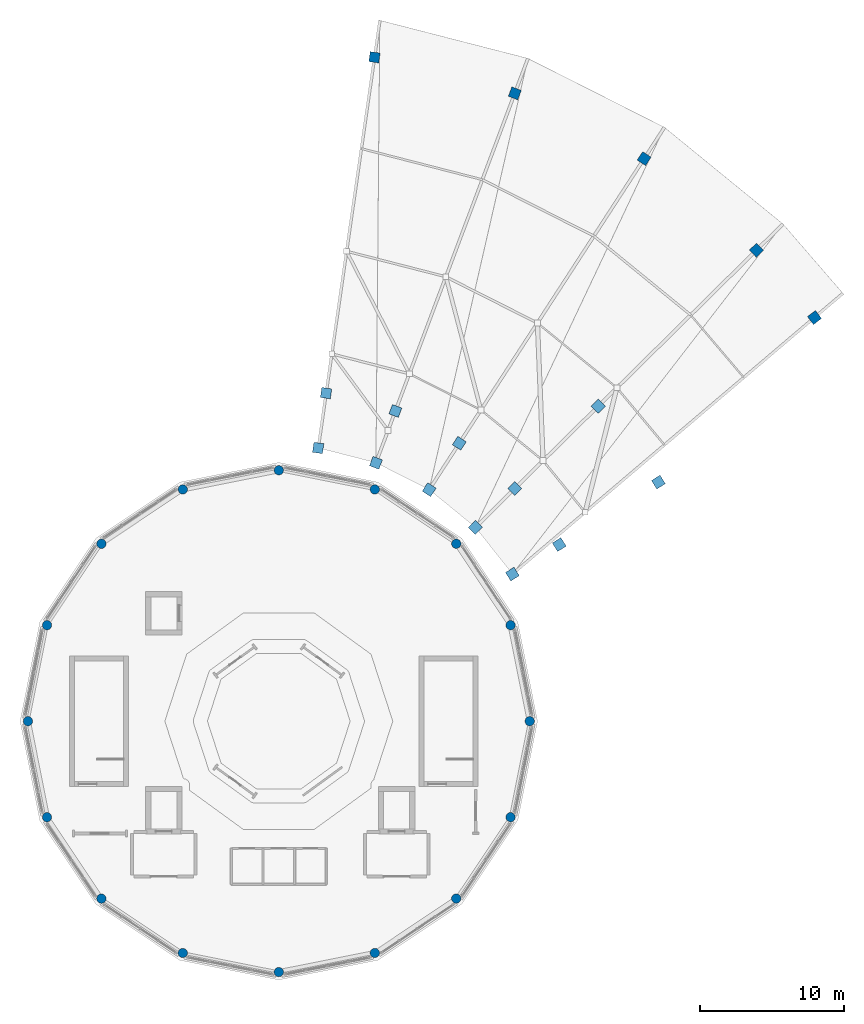
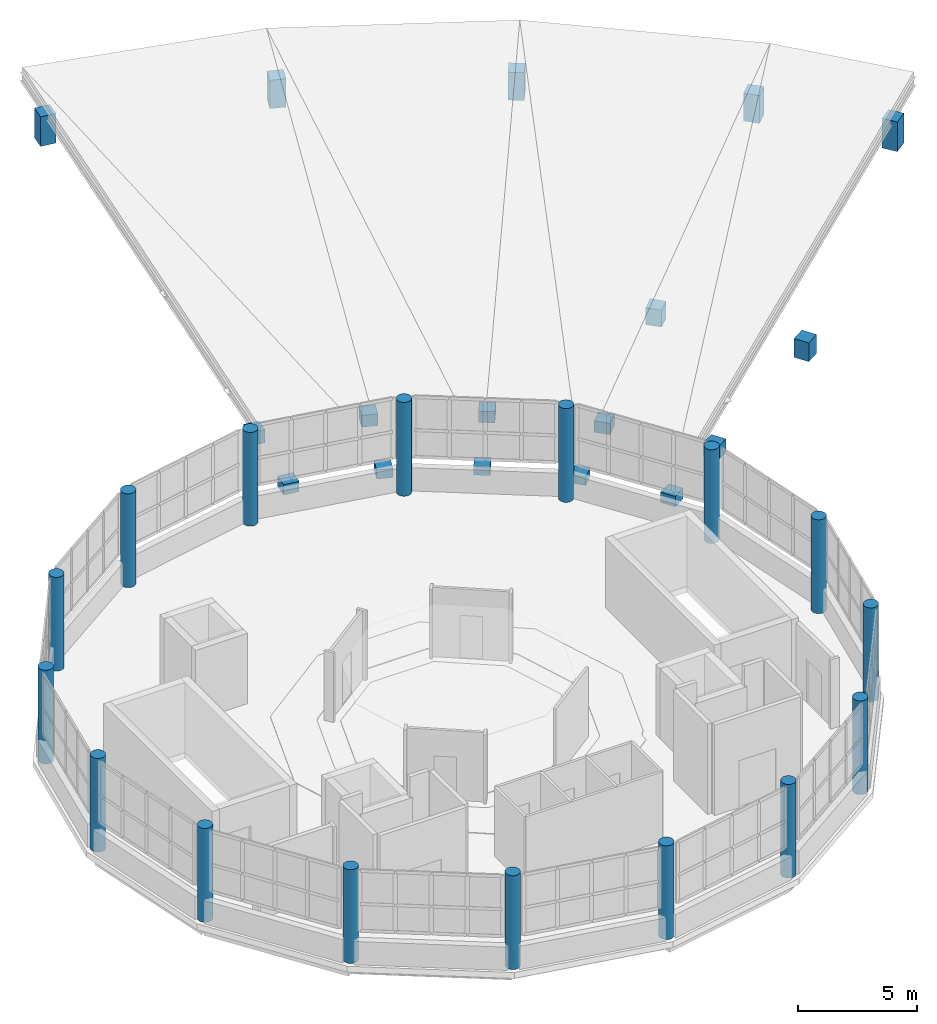
# One storey, part 1 of 12: 33 columns.
"""IFC4 building model written with IfcOpenShell, lengths in metres."""

from ifc_helpers import new_model, si_unit, direction, frame, origin, origin_2d, place, context, subcontext, project, spatial, rectangle, circle, extrude, material, material_profile, profile_set, type_object, element, save


model = new_model("IFC4")

# Units and contexts
model_context = context("Model", 3, precision=1e-05, world=origin(), true_north=direction((0.0, 1.0)))
body_context = subcontext(model_context, "Body", "Model", "MODEL_VIEW")
ifc_project = project(units=[si_unit("LENGTHUNIT", "METRE"), si_unit("AREAUNIT", "SQUARE_METRE"), si_unit("VOLUMEUNIT", "CUBIC_METRE"), si_unit("PLANEANGLEUNIT", "RADIAN"), si_unit("MASSUNIT", "GRAM", prefix="KILO")], contexts=[model_context])

# Site, building, storey
site_placement = place(None, origin())
site = spatial("IfcSite", under=ifc_project, at=site_placement, CompositionType="ELEMENT")
building_placement = place(site_placement, origin())
building = spatial("IfcBuilding", under=site, at=building_placement, Name="Soyqirgoq Riverine Aquarium", CompositionType="ELEMENT")
storey_placement = place(building_placement, frame((0.0, 0.0, 24.60009765625)))
storey = spatial("IfcBuildingStorey", under=building, at=storey_placement, Name="L06", CompositionType="ELEMENT", Elevation=24.60009765625)

# Columns
ifc_material_1 = material(Name="Concrete C40/50", Category="concrete")
ifc_material_profile_1 = material_profile(ifc_material_1, circle(Radius=0.324951171875, at=origin_2d()), Name="RC-COL D650")
ifc_profile_set_1 = profile_set([ifc_material_profile_1], Name="Concrete C40/50")
column_type_1 = type_object("IfcColumnType", Name="Col_Circ_D650", PredefinedType="COLUMN", material=ifc_profile_set_1)
for number, where, z_axis, x_axis, name in (
    (1, (73.449951171875, 57.0, 0.0), (0.0, 0.0, 1.0), (1.0, 0.0, 0.0), "V1 Column V1-CO01 L06"),
    (2, (72.12158203125, 63.677734375, 0.0), (0.0, 0.0, 1.0), (0.923879532511, 0.382683432365, 0.0), "V1 Column V1-CO02 L06"),
    (3, (68.339111328125, 69.339111328125, 0.0), (0.0, 0.0, 1.0), (0.707106781187, 0.707106781187, 0.0), "V1 Column V1-CO03 L06"),
    (4, (62.677734375, 73.12158203125, 0.0), (0.0, 0.0, 1.0), (0.382683432365, 0.923879532511, 0.0), "V1 Column V1-CO04 L06"),
    (5, (56.0, 74.449951171875, 0.0), (0.0, 0.0, 1.0), (0.0, 1.0, 0.0), "V1 Column V1-CO05 L06"),
    (6, (49.322265625, 73.12158203125, 0.0), (0.0, 0.0, 1.0), (-0.382683432365, 0.923879532511, 0.0), "V1 Column V1-CO06 L06"),
    (7, (43.660888671875, 69.339111328125, 0.0), (0.0, 0.0, 1.0), (-0.707106781187, 0.707106781187, 0.0), "V1 Column V1-CO07 L06"),
    (8, (39.87841796875, 63.677734375, 0.0), (0.0, 0.0, 1.0), (-0.923879532511, 0.382683432365, 0.0), "V1 Column V1-CO08 L06"),
    (9, (38.550048828125, 57.0, 0.0), (0.0, 0.0, 1.0), (-1.0, 0.0, 0.0), "V1 Column V1-CO09 L06"),
    (10, (39.87841796875, 50.322265625, 0.0), (0.0, 0.0, 1.0), (-0.923879532511, -0.382683432365, 0.0), "V1 Column V1-CO10 L06"),
    (11, (43.660888671875, 44.660888671875, 0.0), (0.0, 0.0, 1.0), (-0.707106781187, -0.707106781187, 0.0), "V1 Column V1-CO11 L06"),
    (12, (49.322265625, 40.87841796875, 0.0), (0.0, 0.0, 1.0), (-0.382683432365, -0.923879532511, 0.0), "V1 Column V1-CO12 L06"),
    (13, (56.0, 39.550048828125, 0.0), (0.0, 0.0, 1.0), (0.0, -1.0, 0.0), "V1 Column V1-CO13 L06"),
    (14, (62.677734375, 40.87841796875, 0.0), (0.0, 0.0, 1.0), (0.382683432365, -0.923879532511, 0.0), "V1 Column V1-CO14 L06"),
    (15, (68.339111328125, 44.660888671875, 0.0), (0.0, 0.0, 1.0), (0.707106781187, -0.707106781187, 0.0), "V1 Column V1-CO15 L06"),
    (16, (72.12158203125, 50.322265625, 0.0), (0.0, 0.0, 1.0), (0.923879532511, -0.382683432365, 0.0), "V1 Column V1-CO16 L06"),
):
    element("IfcColumn", number, at=place(storey_placement, frame(where, z_axis=z_axis, x_axis=x_axis)), inside=storey, type_object=column_type_1, Name=name, PredefinedType="COLUMN", context=body_context, shape_type="SweptSolid", body=[
        extrude(circle(Radius=0.324951171875, at=origin_2d()), origin(), (0.0, 0.0, 1.0), 4.7998046875),
    ])
ifc_material_2 = material(Name="Concrete C40/50", Category="concrete")
ifc_material_profile_2 = material_profile(ifc_material_2, rectangle(XDim=0.699951171875, YDim=0.699951171875, at=origin_2d()), Name="RC 700x700")
ifc_profile_set_2 = profile_set([ifc_material_profile_2], Name="Concrete C40/50")
column_type_2 = type_object("IfcColumnType", Name="Col_RC_700x700", PredefinedType="COLUMN", material=ifc_profile_set_2)
column_1_placement = place(storey_placement, frame((72.246826171875, 67.231201171875, -0.22021484375), z_axis=(0.0, 0.0, 1.0), x_axis=(0.846193166128, 0.532876276071, 0.0)))
element("IfcColumn", 17, at=column_1_placement, inside=storey, type_object=column_type_2, Name="V5 Prairie Roof Inner Column Post 01", PredefinedType="COLUMN", context=body_context, shape_type="SweptSolid", body=[
    extrude(rectangle(XDim=0.699951171875, YDim=0.699951171875, at=origin_2d()), origin(), (0.0, 0.0, 1.0), 0.531005859375),
])
column_2_placement = place(storey_placement, frame((93.25634765625, 85.07470703125, -0.22021484375), z_axis=(0.0, 0.0, 1.0), x_axis=(0.798635510047, 0.601815023152, 0.0)))
element("IfcColumn", 18, at=column_2_placement, inside=storey, type_object=column_type_2, Name="V5 Prairie Roof Outer Column Post 01", PredefinedType="COLUMN", context=body_context, shape_type="SweptSolid", body=[
    extrude(rectangle(XDim=0.699951171875, YDim=0.699951171875, at=origin_2d()), origin(), (0.0, 0.0, 1.0), 1.519287109375),
])
column_3_placement = place(storey_placement, frame((75.5048828125, 69.28271484375, -0.22021484375), z_axis=(0.0, 0.0, 1.0), x_axis=(0.846193166128, 0.532876276071, 0.0)))
element("IfcColumn", 19, at=column_3_placement, inside=storey, type_object=column_type_2, Name="V5 Prairie Roof Mid Column Post R2-01", PredefinedType="COLUMN", context=body_context, shape_type="SweptSolid", body=[
    extrude(rectangle(XDim=0.699951171875, YDim=0.699951171875, at=origin_2d()), origin(), (0.0, 0.0, 1.0), 0.6689453125),
])
column_4_placement = place(storey_placement, frame((82.401123046875, 73.625732421875, -0.22021484375), z_axis=(0.0, 0.0, 1.0), x_axis=(0.846193166128, 0.532876276071, 0.0)))
element("IfcColumn", 20, at=column_4_placement, inside=storey, type_object=column_type_2, Name="V5 Prairie Roof Mid Column Post R3-01", PredefinedType="COLUMN", context=body_context, shape_type="SweptSolid", body=[
    extrude(rectangle(XDim=0.699951171875, YDim=0.699951171875, at=origin_2d()), origin(), (0.0, 0.0, 1.0), 0.961181640625),
])
column_5_placement = place(storey_placement, frame((69.6708984375, 70.481201171875, -0.22021484375), z_axis=(0.0, 0.0, 1.0), x_axis=(0.712026045991, 0.702153052995, 0.0)))
element("IfcColumn", 21, at=column_5_placement, inside=storey, type_object=column_type_2, Name="V5 Prairie Roof Inner Column Post 02", PredefinedType="COLUMN", context=body_context, shape_type="SweptSolid", body=[
    extrude(rectangle(XDim=0.699951171875, YDim=0.699951171875, at=origin_2d()), origin(), (0.0, 0.0, 1.0), 0.435546875),
])
column_6_placement = place(storey_placement, frame((89.216064453125, 89.75537109375, -0.22021484375), z_axis=(0.0, 0.0, 1.0), x_axis=(0.712026045991, 0.702153052995, 0.0)))
element("IfcColumn", 22, at=column_6_placement, inside=storey, type_object=column_type_2, Name="V5 Prairie Roof Outer Column Post 02", PredefinedType="COLUMN", context=body_context, shape_type="SweptSolid", body=[
    extrude(rectangle(XDim=0.699951171875, YDim=0.699951171875, at=origin_2d()), origin(), (0.0, 0.0, 1.0), 1.423583984375),
])
column_7_placement = place(storey_placement, frame((72.412109375, 73.1845703125, -0.22021484375), z_axis=(0.0, 0.0, 1.0), x_axis=(0.712026045991, 0.702153052995, 0.0)))
element("IfcColumn", 23, at=column_7_placement, inside=storey, type_object=column_type_2, Name="V5 Prairie Roof Mid Column Post R2-02", PredefinedType="COLUMN", context=body_context, shape_type="SweptSolid", body=[
    extrude(rectangle(XDim=0.699951171875, YDim=0.699951171875, at=origin_2d()), origin(), (0.0, 0.0, 1.0), 0.57421875),
])
column_8_placement = place(storey_placement, frame((78.215087890625, 78.9072265625, -0.22021484375), z_axis=(0.0, 0.0, 1.0), x_axis=(0.712026045991, 0.702153052995, 0.0)))
element("IfcColumn", 24, at=column_8_placement, inside=storey, type_object=column_type_2, Name="V5 Prairie Roof Mid Column Post R3-02", PredefinedType="COLUMN", context=body_context, shape_type="SweptSolid", body=[
    extrude(rectangle(XDim=0.699951171875, YDim=0.699951171875, at=origin_2d()), origin(), (0.0, 0.0, 1.0), 0.867431640625),
])
column_9_placement = place(storey_placement, frame((66.45703125, 73.1025390625, -0.22021484375), z_axis=(0.0, 0.0, 1.0), x_axis=(0.544639035015, 0.838670567945, 0.0)))
element("IfcColumn", 25, at=column_9_placement, inside=storey, type_object=column_type_2, Name="V5 Prairie Roof Inner Column Post 03", PredefinedType="COLUMN", context=body_context, shape_type="SweptSolid", body=[
    extrude(rectangle(XDim=0.699951171875, YDim=0.699951171875, at=origin_2d()), origin(), (0.0, 0.0, 1.0), 0.4404296875),
])
column_10_placement = place(storey_placement, frame((81.407470703125, 96.1240234375, -0.22021484375), z_axis=(0.0, 0.0, 1.0), x_axis=(0.544639035015, 0.838670567945, 0.0)))
element("IfcColumn", 26, at=column_10_placement, inside=storey, type_object=column_type_2, Name="V5 Prairie Roof Outer Column Post 03", PredefinedType="COLUMN", context=body_context, shape_type="SweptSolid", body=[
    extrude(rectangle(XDim=0.699951171875, YDim=0.699951171875, at=origin_2d()), origin(), (0.0, 0.0, 1.0), 1.428466796875),
])
column_11_placement = place(storey_placement, frame((68.553955078125, 76.331298828125, -0.22021484375), z_axis=(0.0, 0.0, 1.0), x_axis=(0.544639035015, 0.838670567945, 0.0)))
element("IfcColumn", 27, at=column_11_placement, inside=storey, type_object=column_type_2, Name="V5 Prairie Roof Mid Column Post R2-03", PredefinedType="COLUMN", context=body_context, shape_type="SweptSolid", body=[
    extrude(rectangle(XDim=0.699951171875, YDim=0.699951171875, at=origin_2d()), origin(), (0.0, 0.0, 1.0), 0.5791015625),
])
column_12_placement = place(storey_placement, frame((62.75537109375, 74.972412109375, -0.22021484375), z_axis=(0.0, 0.0, 1.0), x_axis=(0.351841648405, 0.936059535739, 0.0)))
element("IfcColumn", 28, at=column_12_placement, inside=storey, type_object=column_type_2, Name="V5 Prairie Roof Inner Column Post 04", PredefinedType="COLUMN", context=body_context, shape_type="SweptSolid", body=[
    extrude(rectangle(XDim=0.699951171875, YDim=0.699951171875, at=origin_2d()), origin(), (0.0, 0.0, 1.0), 0.465576171875),
])
column_13_placement = place(storey_placement, frame((72.413330078125, 100.667236328125, -0.22021484375), z_axis=(0.0, 0.0, 1.0), x_axis=(0.351841648405, 0.936059535739, 0.0)))
element("IfcColumn", 29, at=column_13_placement, inside=storey, type_object=column_type_2, Name="V5 Prairie Roof Outer Column Post 04", PredefinedType="COLUMN", context=body_context, shape_type="SweptSolid", body=[
    extrude(rectangle(XDim=0.699951171875, YDim=0.699951171875, at=origin_2d()), origin(), (0.0, 0.0, 1.0), 1.45361328125),
])
column_14_placement = place(storey_placement, frame((64.10986328125, 78.576171875, -0.22021484375), z_axis=(0.0, 0.0, 1.0), x_axis=(0.351841648405, 0.936059535739, 0.0)))
element("IfcColumn", 30, at=column_14_placement, inside=storey, type_object=column_type_2, Name="V5 Prairie Roof Mid Column Post R2-04", PredefinedType="COLUMN", context=body_context, shape_type="SweptSolid", body=[
    extrude(rectangle(XDim=0.699951171875, YDim=0.699951171875, at=origin_2d()), origin(), (0.0, 0.0, 1.0), 0.604248046875),
])
column_15_placement = place(storey_placement, frame((58.738525390625, 76.003662109375, -0.22021484375), z_axis=(0.0, 0.0, 1.0), x_axis=(0.142628933706, 0.989776230908, 0.0)))
element("IfcColumn", 31, at=column_15_placement, inside=storey, type_object=column_type_2, Name="V5 Prairie Roof Inner Column Post 05", PredefinedType="COLUMN", context=body_context, shape_type="SweptSolid", body=[
    extrude(rectangle(XDim=0.699951171875, YDim=0.699951171875, at=origin_2d()), origin(), (0.0, 0.0, 1.0), 0.530517578125),
])
column_16_placement = place(storey_placement, frame((62.653564453125, 103.173095703125, -0.22021484375), z_axis=(0.0, 0.0, 1.0), x_axis=(0.142628933706, 0.989776230908, 0.0)))
element("IfcColumn", 32, at=column_16_placement, inside=storey, type_object=column_type_2, Name="V5 Prairie Roof Outer Column Post 05", PredefinedType="COLUMN", context=body_context, shape_type="SweptSolid", body=[
    extrude(rectangle(XDim=0.699951171875, YDim=0.699951171875, at=origin_2d()), origin(), (0.0, 0.0, 1.0), 1.5185546875),
])
column_17_placement = place(storey_placement, frame((59.28759765625, 79.814208984375, -0.22021484375), z_axis=(0.0, 0.0, 1.0), x_axis=(0.142628933706, 0.989776230908, 0.0)))
element("IfcColumn", 33, at=column_17_placement, inside=storey, type_object=column_type_2, Name="V5 Prairie Roof Mid Column Post R2-05", PredefinedType="COLUMN", context=body_context, shape_type="SweptSolid", body=[
    extrude(rectangle(XDim=0.699951171875, YDim=0.699951171875, at=origin_2d()), origin(), (0.0, 0.0, 1.0), 0.669189453125),
])

save(model, "model.ifc")
